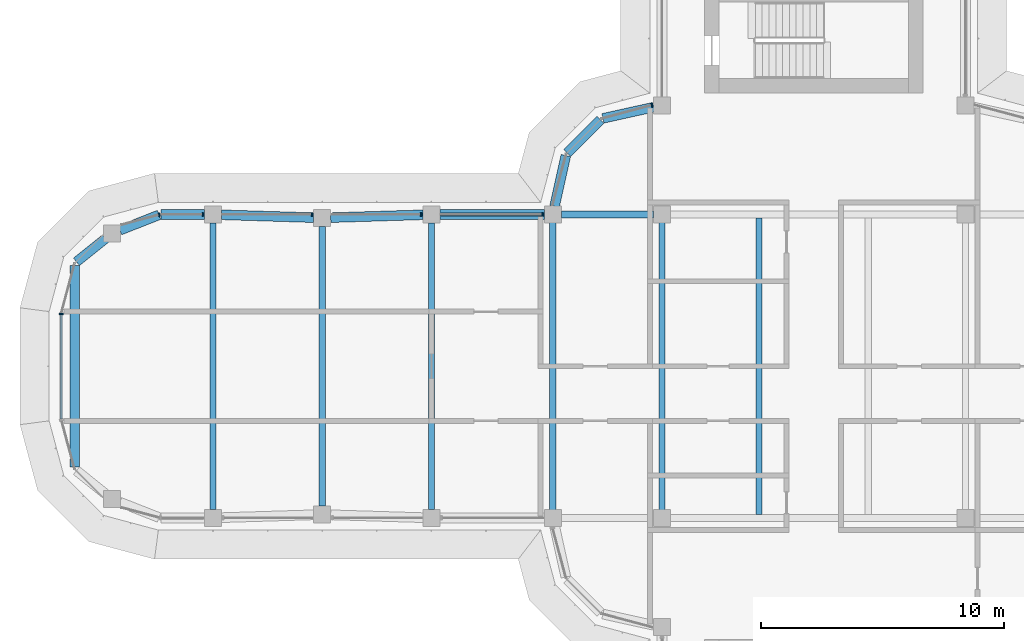
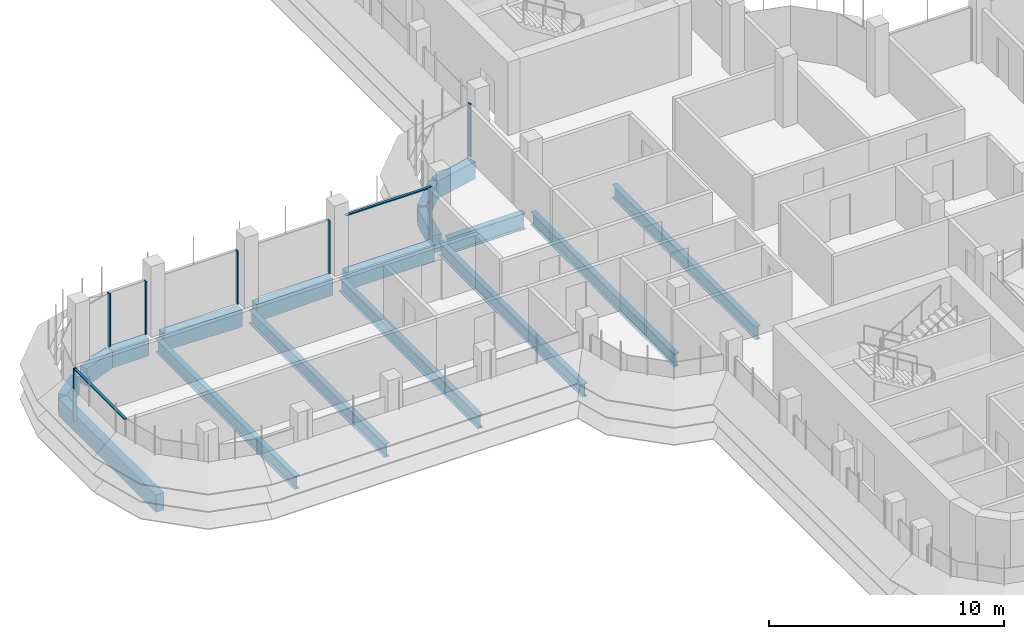
# One storey, part 6 of 19: 17 beams, 9 members, 4 elements without a shape of their own.
"""IFC4 building model written with IfcOpenShell, lengths in metres."""

from ifc_helpers import new_model, si_unit, direction, frame, origin, origin_2d, place, context, subcontext, project, spatial, polyline, rectangle, i_section, outline, extrude, source, transform, mapped, material, material_profile, profile_set, type_object, element, aggregate, save


model = new_model("IFC4")

# Units and contexts
model_context = context("Model", 3, precision=1e-05, world=origin(), true_north=direction((0.0, 1.0)))
body_context = subcontext(model_context, "Body", "Model", "MODEL_VIEW")
ifc_project = project(units=[si_unit("LENGTHUNIT", "METRE"), si_unit("AREAUNIT", "SQUARE_METRE"), si_unit("VOLUMEUNIT", "CUBIC_METRE"), si_unit("PLANEANGLEUNIT", "RADIAN"), si_unit("MASSUNIT", "GRAM", prefix="KILO")], contexts=[model_context])

# Site, building, storey
site_placement = place(None, origin())
site = spatial("IfcSite", under=ifc_project, at=site_placement, CompositionType="ELEMENT")
building_placement = place(site_placement, origin())
building = spatial("IfcBuilding", under=site, at=building_placement, Name="Zarbagh Exchange Tower", CompositionType="ELEMENT")
storey_placement = place(building_placement, frame((0.0, 0.0, 199.199951171875)))
storey = spatial("IfcBuildingStorey", under=building, at=storey_placement, Name="L48", CompositionType="ELEMENT", Elevation=199.199951171875)

# Beams
ifc_material_1 = material(Name="Steel ASTM A992 Gr 50", Category="steel")
ifc_material_profile_1 = material_profile(ifc_material_1, i_section(OverallWidth=0.25390625, OverallDepth=0.67822265625, WebThickness=0.01171875, FlangeThickness=0.016357421875, at=origin_2d()), Name="W27X84")
ifc_profile_set_1 = profile_set([ifc_material_profile_1], Name="Steel ASTM A992 Gr 50")
beam_type_1 = type_object("IfcBeamType", Name="Floor beam W27X84", PredefinedType="BEAM", material=ifc_profile_set_1)
for number, where, z_axis, x_axis, name in (
    (1, (-10.75, -6.10400390625, -0.489013671875), (0.0, 1.0, 0.0), (-1.0, 0.0, 0.0), "Steel floor beam"),
    (2, (-6.25, -6.10400390625, -0.489013671875), (0.0, 1.0, 0.0), (-1.0, 0.0, 0.0), "Steel floor beam"),
    (3, (-2.25, -6.10400390625, -0.489013671875), (0.0, 1.0, 0.0), (-1.0, 0.0, 0.0), "Steel floor beam"),
):
    element("IfcBeam", number, at=place(storey_placement, frame(where, z_axis=z_axis, x_axis=x_axis)), inside=storey, type_object=beam_type_1, Name=name, PredefinedType="BEAM", context=body_context, shape_type="SweptSolid", body=[
        extrude(i_section(OverallWidth=0.25390625, OverallDepth=0.67822265625, WebThickness=0.01171875, FlangeThickness=0.016357421875, at=origin_2d()), origin(), (0.0, 0.0, 1.0), 12.2080078125),
    ])
beam_1_placement = place(storey_placement, frame((-15.75, -5.89990234375, -0.489013671875), z_axis=(0.0, 1.0, 0.0), x_axis=(-1.0, 0.0, 0.0)))
element("IfcBeam", 4, at=beam_1_placement, inside=storey, type_object=beam_type_1, Name="Steel floor beam", PredefinedType="BEAM", context=body_context, shape_type="SweptSolid", body=[
    extrude(i_section(OverallWidth=0.25390625, OverallDepth=0.67822265625, WebThickness=0.01171875, FlangeThickness=0.016357421875, at=origin_2d()), origin(), (0.0, 0.0, 1.0), 11.7998046875),
])
beam_2_placement = place(storey_placement, frame((-20.25, -5.760009765625, -0.489013671875), z_axis=(0.0, 1.0, 0.0), x_axis=(-1.0, 0.0, 0.0)))
element("IfcBeam", 5, at=beam_2_placement, inside=storey, type_object=beam_type_1, Name="Steel floor beam", PredefinedType="BEAM", context=body_context, shape_type="SweptSolid", body=[
    extrude(i_section(OverallWidth=0.25390625, OverallDepth=0.67822265625, WebThickness=0.01171875, FlangeThickness=0.016357421875, at=origin_2d()), origin(), (0.0, 0.0, 1.0), 11.52001953125),
])
beam_3_placement = place(storey_placement, frame((-24.75, -5.89990234375, -0.489013671875), z_axis=(0.0, 1.0, 0.0), x_axis=(-1.0, 0.0, 0.0)))
element("IfcBeam", 6, at=beam_3_placement, inside=storey, type_object=beam_type_1, Name="Steel floor beam", PredefinedType="BEAM", context=body_context, shape_type="SweptSolid", body=[
    extrude(i_section(OverallWidth=0.25390625, OverallDepth=0.67822265625, WebThickness=0.01171875, FlangeThickness=0.016357421875, at=origin_2d()), origin(), (0.0, 0.0, 1.0), 11.7998046875),
])
ifc_material_profile_2 = material_profile(ifc_material_1, i_section(OverallWidth=0.2919921875, OverallDepth=0.835693359375, WebThickness=0.013916015625, FlangeThickness=0.018798828125, at=origin_2d()), Name="W33X118")
ifc_profile_set_2 = profile_set([ifc_material_profile_2], Name="Steel ASTM A992 Gr 50")
beam_type_2 = type_object("IfcBeamType", Name="Floor girder W33X118", PredefinedType="BEAM", material=ifc_profile_set_2)
beam_4_placement = place(storey_placement, frame((-10.39990234375, 6.25, -0.56787109375), z_axis=(1.0, 0.0, 0.0), x_axis=(0.0, 1.0, 0.0)))
element("IfcBeam", 7, at=beam_4_placement, inside=storey, type_object=beam_type_2, Name="Steel girder", PredefinedType="BEAM", context=body_context, shape_type="SweptSolid", body=[
    extrude(i_section(OverallWidth=0.2919921875, OverallDepth=0.835693359375, WebThickness=0.013916015625, FlangeThickness=0.018798828125, at=origin_2d()), origin(), (0.0, 0.0, 1.0), 3.7998046875),
])
ifc_material_2 = material(Name="Concrete C50/60", Category="concrete")
ifc_material_profile_3 = material_profile(ifc_material_2, rectangle(XDim=0.39990234375, YDim=0.89990234375, at=origin_2d()), Name="RC spandrel beam 400 x 900 C50/60")
ifc_profile_set_3 = profile_set([ifc_material_profile_3], Name="Concrete C50/60")
beam_type_3 = type_object("IfcBeamType", Name="RC spandrel beam 400 x 900 C50/60", PredefinedType="SPANDREL", material=ifc_profile_set_3)
beam_5_placement = place(storey_placement, frame((-30.44873046875, -4.14501953125, -0.599853515625), z_axis=(0.0, 1.0, 0.0), x_axis=(-1.0, 0.0, 0.0)))
element("IfcBeam", 8, at=beam_5_placement, inside=storey, type_object=beam_type_3, Name="RC spandrel beam", PredefinedType="SPANDREL", context=body_context, shape_type="SweptSolid", body=[
    extrude(rectangle(XDim=0.39990234375, YDim=0.89990234375, at=origin_2d()), origin(), (0.0, 0.0, 1.0), 8.2900390625),
])
beam_6_placement = place(storey_placement, frame((-30.373779296875, 4.30126953125, -0.599853515625), z_axis=(0.780634897504, 0.62498732531, 0.0), x_axis=(-0.62498732531, 0.780634897504, 0.0)))
element("IfcBeam", 9, at=beam_6_placement, inside=storey, type_object=beam_type_3, Name="RC spandrel beam", PredefinedType="SPANDREL", context=body_context, shape_type="SweptSolid", body=[
    extrude(rectangle(XDim=0.39990234375, YDim=0.89990234375, at=origin_2d()), origin(), (0.0, 0.0, 1.0), 1.52783203125),
])
beam_7_placement = place(storey_placement, frame((-28.582275390625, 5.602783203125, -0.599853515625), z_axis=(0.930809711446, 0.365504146457, 0.0), x_axis=(-0.365504146457, 0.930809711446, 0.0)))
element("IfcBeam", 10, at=beam_7_placement, inside=storey, type_object=beam_type_3, Name="RC spandrel beam", PredefinedType="SPANDREL", context=body_context, shape_type="SweptSolid", body=[
    extrude(rectangle(XDim=0.39990234375, YDim=0.89990234375, at=origin_2d()), origin(), (0.0, 0.0, 1.0), 1.732666015625),
])
beam_8_placement = place(storey_placement, frame((-26.896240234375, 6.25, -0.599853515625), z_axis=(1.0, 0.0, 0.0), x_axis=(0.0, 1.0, 0.0)))
element("IfcBeam", 11, at=beam_8_placement, inside=storey, type_object=beam_type_3, Name="RC spandrel beam", PredefinedType="SPANDREL", context=body_context, shape_type="SweptSolid", body=[
    extrude(rectangle(XDim=0.39990234375, YDim=0.89990234375, at=origin_2d()), origin(), (0.0, 0.0, 1.0), 1.796142578125),
])
for number, where, z_axis, x_axis, name in (
    (12, (-24.400146484375, 6.239013671875, -0.599853515625), (0.999516950199, -0.031078389046, 0.0), (0.031078389046, 0.999516950199, 0.0), "RC spandrel beam"),
    (13, (-19.900146484375, 6.120849609375, -0.599853515625), (0.999516950199, 0.031078389046, 0.0), (-0.031078389046, 0.999516950199, 0.0), "RC spandrel beam"),
):
    element("IfcBeam", number, at=place(storey_placement, frame(where, z_axis=z_axis, x_axis=x_axis)), inside=storey, type_object=beam_type_3, Name=name, PredefinedType="SPANDREL", context=body_context, shape_type="SweptSolid", body=[
        extrude(rectangle(XDim=0.39990234375, YDim=0.89990234375, at=origin_2d()), origin(), (0.0, 0.0, 1.0), 3.80224609375),
    ])
beam_9_placement = place(storey_placement, frame((-15.39990234375, 6.25, -0.599853515625), z_axis=(1.0, 0.0, 0.0), x_axis=(0.0, 1.0, 0.0)))
element("IfcBeam", 14, at=beam_9_placement, inside=storey, type_object=beam_type_3, Name="RC spandrel beam", PredefinedType="SPANDREL", context=body_context, shape_type="SweptSolid", body=[
    extrude(rectangle(XDim=0.39990234375, YDim=0.89990234375, at=origin_2d()), origin(), (0.0, 0.0, 1.0), 4.2998046875),
])
beam_10_placement = place(storey_placement, frame((-10.67431640625, 6.591796875, -0.599853515625), z_axis=(0.216013551096, 0.97639036545, 0.0), x_axis=(-0.97639036545, 0.216013551096, 0.0)))
element("IfcBeam", 15, at=beam_10_placement, inside=storey, type_object=beam_type_3, Name="RC spandrel beam", PredefinedType="SPANDREL", context=body_context, shape_type="SweptSolid", body=[
    extrude(rectangle(XDim=0.39990234375, YDim=0.89990234375, at=origin_2d()), origin(), (0.0, 0.0, 1.0), 2.142822265625),
])
beam_11_placement = place(storey_placement, frame((-10.15771484375, 8.782470703125, -0.599853515625), z_axis=(0.707106781187, 0.707106781187, 0.0), x_axis=(-0.707106781187, 0.707106781187, 0.0)))
element("IfcBeam", 16, at=beam_11_placement, inside=storey, type_object=beam_type_3, Name="RC spandrel beam", PredefinedType="SPANDREL", context=body_context, shape_type="SweptSolid", body=[
    extrude(rectangle(XDim=0.39990234375, YDim=0.89990234375, at=origin_2d()), origin(), (0.0, 0.0, 1.0), 1.94482421875),
])
beam_12_placement = place(storey_placement, frame((-8.68408203125, 10.21142578125, -0.599853515625), z_axis=(0.97639036545, 0.216013551096, 0.0), x_axis=(-0.216013551096, 0.97639036545, 0.0)))
element("IfcBeam", 17, at=beam_12_placement, inside=storey, type_object=beam_type_3, Name="RC spandrel beam", PredefinedType="SPANDREL", context=body_context, shape_type="SweptSolid", body=[
    extrude(rectangle(XDim=0.39990234375, YDim=0.89990234375, at=origin_2d()), origin(), (0.0, 0.0, 1.0), 2.142822265625),
])

# Curtain wall, member
ifc_material_3 = material(Name="Anodised aluminium frame and glazing", Category="aluminium")
curtain_wall_type = type_object("IfcCurtainWallType", Name="CWB Ribbon glazing, upper zones", PredefinedType="NOTDEFINED", material=ifc_material_3)
curtain_wall_1_placement = place(storey_placement, origin())
curtain_wall_1 = element("IfcCurtainWall", 18, at=curtain_wall_1_placement, inside=storey, type_object=curtain_wall_type, Name="CWB29 curtain wall", PredefinedType="NOTDEFINED")
ifc_material_4 = material(Name="Anodised aluminium frame", Category="aluminium")
member_type_1 = type_object("IfcMemberType", Name="MUB Mullion, anodised aluminium frame", PredefinedType="MULLION", material=ifc_material_4)
shared_shape_1 = source(origin(), body_context, "Body", "SweptSolid", [
    extrude(outline(polyline([(0.0, -0.080078125), (0.06005859375, -0.080078125), (0.06005859375, 0.080078125), (0.0, 0.080078125), (0.0, -0.080078125)])), origin(), (0.0, 0.0, 1.0), 2.75),
])
placement = place(storey_placement, origin())
member_1 = element("IfcMember", 19, at=placement, type_object=member_type_1, Name="CWB29 mullion 1.1", PredefinedType="MULLION", context=body_context, shape_type="MappedRepresentation", body=[
    mapped(shared_shape_1, transform((-6.64013671875, 10.76171875, 0.0), x_axis=(-0.965924289636, -0.258824779902, 0.0), y_axis=(0.258824779902, -0.965924289636, 0.0), z_axis=(0.0, 0.0, 1.0))),
])
aggregate(curtain_wall_1, [member_1])

# Curtain wall, members
curtain_wall_2_placement = place(storey_placement, origin())
curtain_wall_2 = element("IfcCurtainWall", 20, at=curtain_wall_2_placement, inside=storey, type_object=curtain_wall_type, Name="CWB58 curtain wall", PredefinedType="NOTDEFINED")
member_2 = element("IfcMember", 21, at=placement, type_object=member_type_1, Name="CWB58 mullion 1.1", PredefinedType="MULLION", context=body_context, shape_type="MappedRepresentation", body=[
    mapped(shared_shape_1, transform((-11.14013671875, 6.25, 0.0), x_axis=(-1.0, 0.0, 0.0), y_axis=(0.0, -1.0, 0.0), z_axis=(0.0, 0.0, 1.0))),
])
member_3 = element("IfcMember", 22, at=placement, type_object=member_type_1, Name="CWB58 mullion 2.1", PredefinedType="MULLION", context=body_context, shape_type="MappedRepresentation", body=[
    mapped(shared_shape_1, transform((-16.14013671875, 6.25, 0.0), x_axis=(-1.0, 0.0, 0.0), y_axis=(0.0, -1.0, 0.0), z_axis=(0.0, 0.0, 1.0))),
])
member_4 = element("IfcMember", 23, at=placement, type_object=member_type_1, Name="CWB58 mullion 3.1", PredefinedType="MULLION", context=body_context, shape_type="MappedRepresentation", body=[
    mapped(shared_shape_1, transform((-20.64013671875, 6.25, 0.0), x_axis=(-1.0, 0.0, 0.0), y_axis=(0.0, -1.0, 0.0), z_axis=(0.0, 0.0, 1.0))),
])
member_5 = element("IfcMember", 24, at=placement, type_object=member_type_1, Name="CWB58 mullion 4.1", PredefinedType="MULLION", context=body_context, shape_type="MappedRepresentation", body=[
    mapped(shared_shape_1, transform((-25.14013671875, 6.25, 0.0), x_axis=(-1.0, 0.0, 0.0), y_axis=(0.0, -1.0, 0.0), z_axis=(0.0, 0.0, 1.0))),
])

# Curtain wall, member
curtain_wall_3_placement = place(storey_placement, origin())
curtain_wall_3 = element("IfcCurtainWall", 25, at=curtain_wall_3_placement, inside=storey, type_object=curtain_wall_type, Name="CWB59 curtain wall", PredefinedType="NOTDEFINED")
member_6 = element("IfcMember", 26, at=placement, type_object=member_type_1, Name="CWB59 mullion 1.1", PredefinedType="MULLION", context=body_context, shape_type="MappedRepresentation", body=[
    mapped(shared_shape_1, transform((-26.93408203125, 6.25, 0.0), x_axis=(-0.965924289636, -0.258824779902, 0.0), y_axis=(0.258824779902, -0.965924289636, 0.0), z_axis=(0.0, 0.0, 1.0))),
])
aggregate(curtain_wall_3, [member_6])

# Curtain wall, members
curtain_wall_4_placement = place(storey_placement, origin())
curtain_wall_4 = element("IfcCurtainWall", 27, at=curtain_wall_4_placement, inside=storey, type_object=curtain_wall_type, Name="CWB66 curtain wall", PredefinedType="NOTDEFINED")
member_7 = element("IfcMember", 28, at=placement, type_object=member_type_1, Name="CWB66 mullion 1.1", PredefinedType="MULLION", context=body_context, shape_type="MappedRepresentation", body=[
    mapped(shared_shape_1, transform((-31.0, 2.18408203125, 0.0), x_axis=(0.0, -1.0, 0.0), y_axis=(1.0, 0.0, 0.0), z_axis=(0.0, 0.0, 1.0))),
])
member_type_2 = type_object("IfcMemberType", Name="TRB Transom, anodised aluminium frame", PredefinedType="USERDEFINED", material=ifc_material_4)
shared_shape_2 = source(origin(), body_context, "Body", "SweptSolid", [
    extrude(outline(polyline([(-0.06005859375, -0.06005859375), (0.0, -0.06005859375), (0.0, 0.06005859375), (-0.06005859375, 0.06005859375), (-0.06005859375, -0.06005859375)])), origin(), (0.0, 0.0, 1.0), 4.308349609375),
])
member_8 = element("IfcMember", 29, at=placement, type_object=member_type_2, Name="CWB66 transom 1.1", ObjectType="TRANSOM", PredefinedType="USERDEFINED", context=body_context, shape_type="MappedRepresentation", body=[
    mapped(shared_shape_2, transform((-31.0, 2.124267578125, 2.75), x_axis=(0.0, 0.0, 1.0), y_axis=(-1.0, 0.0, 0.0), z_axis=(0.0, -1.0, 0.0))),
])
aggregate(curtain_wall_4, [member_7, member_8])

# Member
shared_shape_3 = source(origin(), body_context, "Body", "SweptSolid", [
    extrude(outline(polyline([(-0.06005859375, -0.06005859375), (0.0, -0.06005859375), (0.0, 0.06005859375), (-0.06005859375, 0.06005859375), (-0.06005859375, -0.06005859375)])), origin(), (0.0, 0.0, 1.0), 4.159912109375),
])
member_9 = element("IfcMember", 30, at=placement, type_object=member_type_2, Name="CWB58 transom 1.1", ObjectType="TRANSOM", PredefinedType="USERDEFINED", context=body_context, shape_type="MappedRepresentation", body=[
    mapped(shared_shape_3, transform((-11.199951171875, 6.25, 2.75), x_axis=(0.0, 0.0, 1.0), y_axis=(0.0, 1.0, 0.0), z_axis=(-1.0, 0.0, 0.0))),
])

aggregate(curtain_wall_2, [member_2, member_9, member_3, member_4, member_5])

save(model, "model.ifc")
